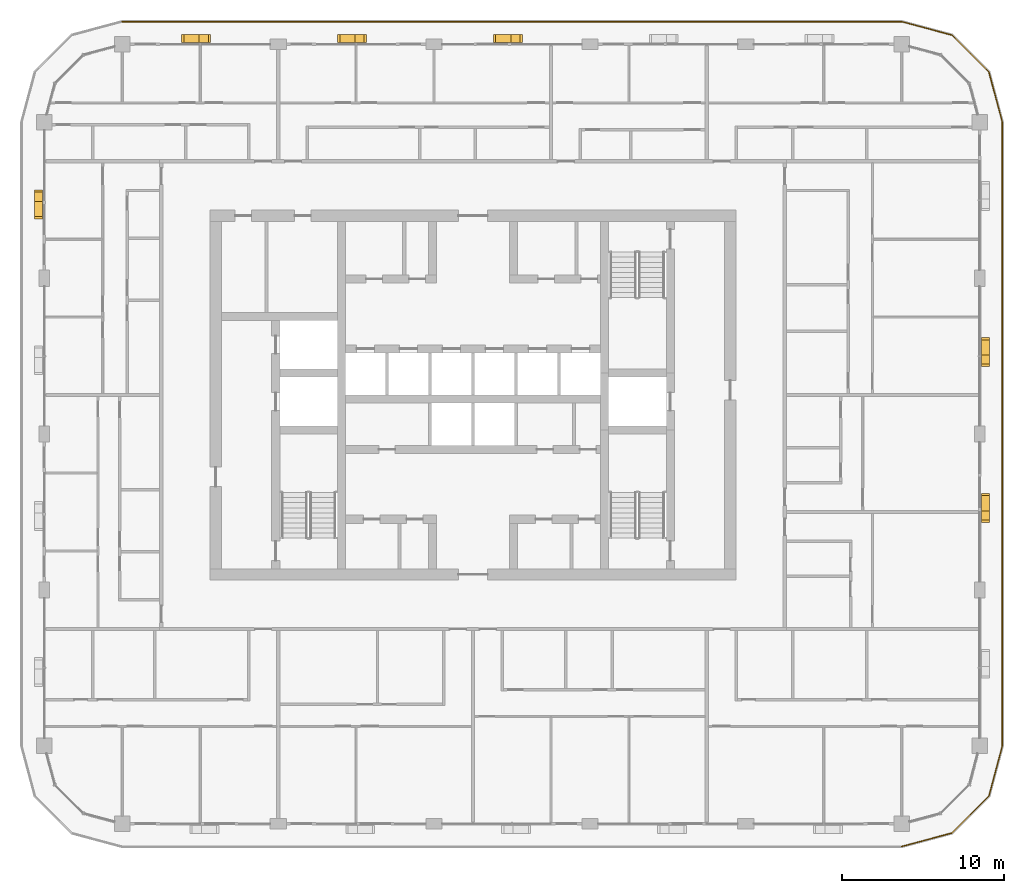
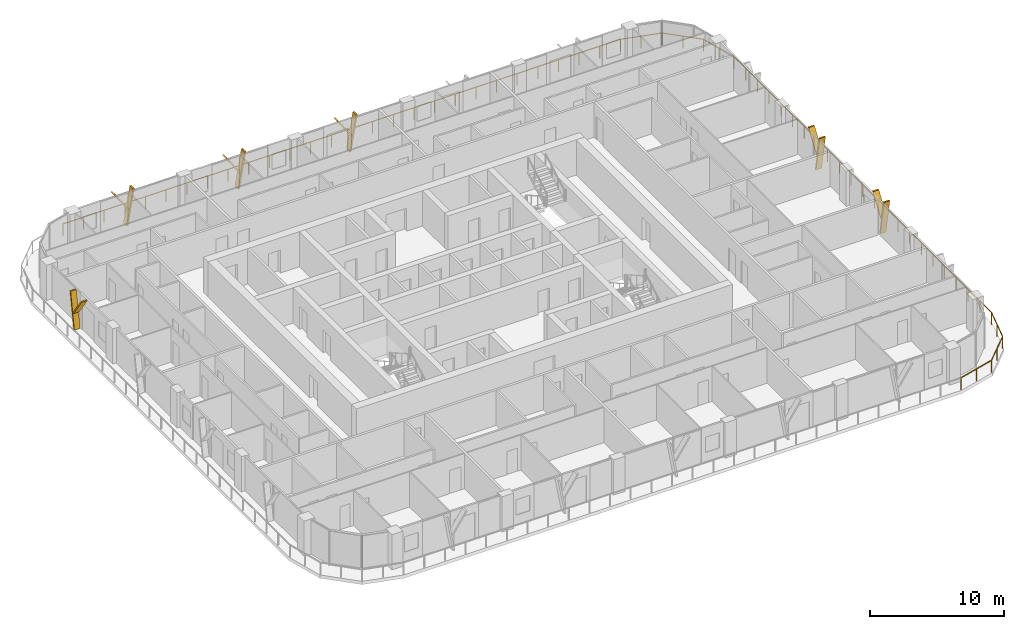
# One storey, part 21 of 22: 12 shading devices, 1 railing.
"""IFC4 building model written with IfcOpenShell, lengths in metres."""

from ifc_helpers import new_model, si_unit, direction, frame, origin, origin_2d, place, context, subcontext, project, spatial, polyline, circle, outline, extrude, material, type_object, element, save


model = new_model("IFC4")

# Units and contexts
model_context = context("Model", 3, precision=1e-05, world=origin(), true_north=direction((0.0, 1.0)))
body_context = subcontext(model_context, "Body", "Model", "MODEL_VIEW")
ifc_project = project(units=[si_unit("LENGTHUNIT", "METRE"), si_unit("AREAUNIT", "SQUARE_METRE"), si_unit("VOLUMEUNIT", "CUBIC_METRE"), si_unit("PLANEANGLEUNIT", "RADIAN"), si_unit("MASSUNIT", "GRAM", prefix="KILO")], contexts=[model_context])

# Site, building, storey
site_placement = place(None, origin())
site = spatial("IfcSite", under=ifc_project, at=site_placement, CompositionType="ELEMENT")
building_placement = place(site_placement, origin())
building = spatial("IfcBuilding", under=site, at=building_placement, Name="Madar Terraces", CompositionType="ELEMENT")
storey_placement = place(building_placement, frame((0.0, 0.0, 192.89990234375)))
storey = spatial("IfcBuildingStorey", under=building, at=storey_placement, Name="L50", CompositionType="ELEMENT", Elevation=192.89990234375)

# Railing
ifc_material_1 = material(Name="Glass, safety glazing, with stainless steel posts", Category="steel")
railing_type = type_object("IfcRailingType", Name="Balcony glass guard 1100", PredefinedType="GUARDRAIL", material=ifc_material_1)
railing_placement = place(storey_placement, frame((57.60009765625, -1.39990234375, 0.0)))
element("IfcRailing", 1, at=railing_placement, inside=storey, type_object=railing_type, Name="Balcony guard", PredefinedType="GUARDRAIL", context=body_context, shape_type="SweptSolid", body=[
    extrude(circle(Radius=0.02392578125, at=origin_2d()), frame((0.0, 0.0, 1.076171875), z_axis=(0.965928696102, 0.258808334578, 0.0), x_axis=(-0.258808334578, 0.965928696102, 0.0)), (0.0, 0.0, 1.0), 3.209228515625),
    extrude(circle(Radius=0.02392578125, at=origin_2d()), frame((3.099853515625, 0.83056640625, 1.076171875), z_axis=(0.707144815061, 0.707068745266, 0.0), x_axis=(-0.707068745266, 0.707144815061, 0.0)), (0.0, 0.0, 1.0), 3.20947265625),
    extrude(circle(Radius=0.02392578125, at=origin_2d()), frame((5.369384765625, 3.099853515625, 1.076171875), z_axis=(0.258789317819, 0.9659337912, 0.0), x_axis=(-0.9659337912, 0.258789317819, 0.0)), (0.0, 0.0, 1.0), 3.20947265625),
    extrude(circle(Radius=0.02392578125, at=origin_2d()), frame((6.199951171875, 6.199951171875, 1.076171875), z_axis=(0.0, 1.0, 0.0), x_axis=(-1.0, 0.0, 0.0)), (0.0, 0.0, 1.0), 38.39990234375),
    extrude(circle(Radius=0.02392578125, at=origin_2d()), frame((6.199951171875, 44.599853515625, 1.076171875), z_axis=(-0.258789317819, 0.9659337912, 0.0), x_axis=(-0.9659337912, -0.258789317819, 0.0)), (0.0, 0.0, 1.0), 3.20947265625),
    extrude(circle(Radius=0.02392578125, at=origin_2d()), frame((5.369384765625, 47.699951171875, 1.076171875), z_axis=(-0.707144815061, 0.707068745266, 0.0), x_axis=(-0.707068745266, -0.707144815061, 0.0)), (0.0, 0.0, 1.0), 3.20947265625),
    extrude(circle(Radius=0.02392578125, at=origin_2d()), frame((3.099853515625, 49.96923828125, 1.076171875), z_axis=(-0.965928696102, 0.258808334578, 0.0), x_axis=(-0.258808334578, -0.965928696102, 0.0)), (0.0, 0.0, 1.0), 3.209228515625),
    extrude(circle(Radius=0.02392578125, at=origin_2d()), frame((0.0, 50.7998046875, 1.076171875), z_axis=(-1.0, 0.0, 0.0), x_axis=(0.0, -1.0, 0.0)), (0.0, 0.0, 1.0), 48.0),
    extrude(circle(Radius=0.02099609375, at=origin_2d()), origin(), (0.0, 0.0, 1.0), 1.052001953125),
    extrude(circle(Radius=0.02099609375, at=origin_2d()), frame((1.5498046875, 0.415283203125, 0.0)), (0.0, 0.0, 1.0), 1.052001953125),
    extrude(circle(Radius=0.02099609375, at=origin_2d()), frame((3.099853515625, 0.83056640625, 0.0)), (0.0, 0.0, 1.0), 1.052001953125),
    extrude(circle(Radius=0.02099609375, at=origin_2d()), frame((4.234619140625, 1.96533203125, 0.0)), (0.0, 0.0, 1.0), 1.052001953125),
    extrude(circle(Radius=0.02099609375, at=origin_2d()), frame((5.369384765625, 3.099853515625, 0.0)), (0.0, 0.0, 1.0), 1.052001953125),
    extrude(circle(Radius=0.02099609375, at=origin_2d()), frame((5.78466796875, 4.64990234375, 0.0)), (0.0, 0.0, 1.0), 1.052001953125),
    extrude(circle(Radius=0.02099609375, at=origin_2d()), frame((6.199951171875, 6.199951171875, 0.0)), (0.0, 0.0, 1.0), 1.052001953125),
    extrude(circle(Radius=0.02099609375, at=origin_2d()), frame((6.199951171875, 7.9453125, 0.0)), (0.0, 0.0, 1.0), 1.052001953125),
    extrude(circle(Radius=0.02099609375, at=origin_2d()), frame((6.199951171875, 9.69091796875, 0.0)), (0.0, 0.0, 1.0), 1.052001953125),
    extrude(circle(Radius=0.02099609375, at=origin_2d()), frame((6.199951171875, 11.436279296875, 0.0)), (0.0, 0.0, 1.0), 1.052001953125),
    extrude(circle(Radius=0.02099609375, at=origin_2d()), frame((6.199951171875, 13.181640625, 0.0)), (0.0, 0.0, 1.0), 1.052001953125),
    extrude(circle(Radius=0.02099609375, at=origin_2d()), frame((6.199951171875, 14.92724609375, 0.0)), (0.0, 0.0, 1.0), 1.052001953125),
    extrude(circle(Radius=0.02099609375, at=origin_2d()), frame((6.199951171875, 16.672607421875, 0.0)), (0.0, 0.0, 1.0), 1.052001953125),
    extrude(circle(Radius=0.02099609375, at=origin_2d()), frame((6.199951171875, 18.418212890625, 0.0)), (0.0, 0.0, 1.0), 1.052001953125),
    extrude(circle(Radius=0.02099609375, at=origin_2d()), frame((6.199951171875, 20.16357421875, 0.0)), (0.0, 0.0, 1.0), 1.052001953125),
    extrude(circle(Radius=0.02099609375, at=origin_2d()), frame((6.199951171875, 21.908935546875, 0.0)), (0.0, 0.0, 1.0), 1.052001953125),
    extrude(circle(Radius=0.02099609375, at=origin_2d()), frame((6.199951171875, 23.654541015625, 0.0)), (0.0, 0.0, 1.0), 1.052001953125),
    extrude(circle(Radius=0.02099609375, at=origin_2d()), frame((6.199951171875, 25.39990234375, 0.0)), (0.0, 0.0, 1.0), 1.052001953125),
    extrude(circle(Radius=0.02099609375, at=origin_2d()), frame((6.199951171875, 27.145263671875, 0.0)), (0.0, 0.0, 1.0), 1.052001953125),
    extrude(circle(Radius=0.02099609375, at=origin_2d()), frame((6.199951171875, 28.890869140625, 0.0)), (0.0, 0.0, 1.0), 1.052001953125),
    extrude(circle(Radius=0.02099609375, at=origin_2d()), frame((6.199951171875, 30.63623046875, 0.0)), (0.0, 0.0, 1.0), 1.052001953125),
    extrude(circle(Radius=0.02099609375, at=origin_2d()), frame((6.199951171875, 32.381591796875, 0.0)), (0.0, 0.0, 1.0), 1.052001953125),
    extrude(circle(Radius=0.02099609375, at=origin_2d()), frame((6.199951171875, 34.127197265625, 0.0)), (0.0, 0.0, 1.0), 1.052001953125),
    extrude(circle(Radius=0.02099609375, at=origin_2d()), frame((6.199951171875, 35.87255859375, 0.0)), (0.0, 0.0, 1.0), 1.052001953125),
    extrude(circle(Radius=0.02099609375, at=origin_2d()), frame((6.199951171875, 37.6181640625, 0.0)), (0.0, 0.0, 1.0), 1.052001953125),
    extrude(circle(Radius=0.02099609375, at=origin_2d()), frame((6.199951171875, 39.363525390625, 0.0)), (0.0, 0.0, 1.0), 1.052001953125),
    extrude(circle(Radius=0.02099609375, at=origin_2d()), frame((6.199951171875, 41.10888671875, 0.0)), (0.0, 0.0, 1.0), 1.052001953125),
    extrude(circle(Radius=0.02099609375, at=origin_2d()), frame((6.199951171875, 42.8544921875, 0.0)), (0.0, 0.0, 1.0), 1.052001953125),
    extrude(circle(Radius=0.02099609375, at=origin_2d()), frame((6.199951171875, 44.599853515625, 0.0)), (0.0, 0.0, 1.0), 1.052001953125),
    extrude(circle(Radius=0.02099609375, at=origin_2d()), frame((5.78466796875, 46.14990234375, 0.0)), (0.0, 0.0, 1.0), 1.052001953125),
    extrude(circle(Radius=0.02099609375, at=origin_2d()), frame((5.369384765625, 47.699951171875, 0.0)), (0.0, 0.0, 1.0), 1.052001953125),
    extrude(circle(Radius=0.02099609375, at=origin_2d()), frame((4.234619140625, 48.83447265625, 0.0)), (0.0, 0.0, 1.0), 1.052001953125),
    extrude(circle(Radius=0.02099609375, at=origin_2d()), frame((3.099853515625, 49.96923828125, 0.0)), (0.0, 0.0, 1.0), 1.052001953125),
    extrude(circle(Radius=0.02099609375, at=origin_2d()), frame((1.5498046875, 50.384521484375, 0.0)), (0.0, 0.0, 1.0), 1.052001953125),
    extrude(circle(Radius=0.02099609375, at=origin_2d()), frame((0.0, 50.7998046875, 0.0)), (0.0, 0.0, 1.0), 1.052001953125),
    extrude(circle(Radius=0.02099609375, at=origin_2d()), frame((-1.77783203125, 50.7998046875, 0.0)), (0.0, 0.0, 1.0), 1.052001953125),
    extrude(circle(Radius=0.02099609375, at=origin_2d()), frame((-3.5556640625, 50.7998046875, 0.0)), (0.0, 0.0, 1.0), 1.052001953125),
    extrude(circle(Radius=0.02099609375, at=origin_2d()), frame((-5.333251953125, 50.7998046875, 0.0)), (0.0, 0.0, 1.0), 1.052001953125),
    extrude(circle(Radius=0.02099609375, at=origin_2d()), frame((-7.111083984375, 50.7998046875, 0.0)), (0.0, 0.0, 1.0), 1.052001953125),
    extrude(circle(Radius=0.02099609375, at=origin_2d()), frame((-8.888916015625, 50.7998046875, 0.0)), (0.0, 0.0, 1.0), 1.052001953125),
    extrude(circle(Radius=0.02099609375, at=origin_2d()), frame((-10.666748046875, 50.7998046875, 0.0)), (0.0, 0.0, 1.0), 1.052001953125),
    extrude(circle(Radius=0.02099609375, at=origin_2d()), frame((-12.4443359375, 50.7998046875, 0.0)), (0.0, 0.0, 1.0), 1.052001953125),
    extrude(circle(Radius=0.02099609375, at=origin_2d()), frame((-14.22216796875, 50.7998046875, 0.0)), (0.0, 0.0, 1.0), 1.052001953125),
    extrude(circle(Radius=0.02099609375, at=origin_2d()), frame((-16.0, 50.7998046875, 0.0)), (0.0, 0.0, 1.0), 1.052001953125),
    extrude(circle(Radius=0.02099609375, at=origin_2d()), frame((-17.77783203125, 50.7998046875, 0.0)), (0.0, 0.0, 1.0), 1.052001953125),
    extrude(circle(Radius=0.02099609375, at=origin_2d()), frame((-19.5556640625, 50.7998046875, 0.0)), (0.0, 0.0, 1.0), 1.052001953125),
    extrude(circle(Radius=0.02099609375, at=origin_2d()), frame((-21.333251953125, 50.7998046875, 0.0)), (0.0, 0.0, 1.0), 1.052001953125),
    extrude(circle(Radius=0.02099609375, at=origin_2d()), frame((-23.111083984375, 50.7998046875, 0.0)), (0.0, 0.0, 1.0), 1.052001953125),
    extrude(circle(Radius=0.02099609375, at=origin_2d()), frame((-24.888916015625, 50.7998046875, 0.0)), (0.0, 0.0, 1.0), 1.052001953125),
    extrude(circle(Radius=0.02099609375, at=origin_2d()), frame((-26.666748046875, 50.7998046875, 0.0)), (0.0, 0.0, 1.0), 1.052001953125),
    extrude(circle(Radius=0.02099609375, at=origin_2d()), frame((-28.4443359375, 50.7998046875, 0.0)), (0.0, 0.0, 1.0), 1.052001953125),
    extrude(circle(Radius=0.02099609375, at=origin_2d()), frame((-30.22216796875, 50.7998046875, 0.0)), (0.0, 0.0, 1.0), 1.052001953125),
    extrude(circle(Radius=0.02099609375, at=origin_2d()), frame((-32.0, 50.7998046875, 0.0)), (0.0, 0.0, 1.0), 1.052001953125),
    extrude(circle(Radius=0.02099609375, at=origin_2d()), frame((-33.77783203125, 50.7998046875, 0.0)), (0.0, 0.0, 1.0), 1.052001953125),
    extrude(circle(Radius=0.02099609375, at=origin_2d()), frame((-35.5556640625, 50.7998046875, 0.0)), (0.0, 0.0, 1.0), 1.052001953125),
    extrude(circle(Radius=0.02099609375, at=origin_2d()), frame((-37.333251953125, 50.7998046875, 0.0)), (0.0, 0.0, 1.0), 1.052001953125),
    extrude(circle(Radius=0.02099609375, at=origin_2d()), frame((-39.111083984375, 50.7998046875, 0.0)), (0.0, 0.0, 1.0), 1.052001953125),
    extrude(circle(Radius=0.02099609375, at=origin_2d()), frame((-40.888916015625, 50.7998046875, 0.0)), (0.0, 0.0, 1.0), 1.052001953125),
    extrude(circle(Radius=0.02099609375, at=origin_2d()), frame((-42.666748046875, 50.7998046875, 0.0)), (0.0, 0.0, 1.0), 1.052001953125),
    extrude(circle(Radius=0.02099609375, at=origin_2d()), frame((-44.4443359375, 50.7998046875, 0.0)), (0.0, 0.0, 1.0), 1.052001953125),
    extrude(circle(Radius=0.02099609375, at=origin_2d()), frame((-46.22216796875, 50.7998046875, 0.0)), (0.0, 0.0, 1.0), 1.052001953125),
    extrude(circle(Radius=0.02099609375, at=origin_2d()), frame((-48.0, 50.7998046875, 0.0)), (0.0, 0.0, 1.0), 1.052001953125),
])

# Shading devices
ifc_material_2 = material(Name="Aluminium, black anodised", Category="aluminium")
shading_device_type = type_object("IfcShadingDeviceType", Name="Facade fin blade 140 x 500", PredefinedType="USERDEFINED", material=ifc_material_2)
shading_device_1_placement = place(storey_placement, frame((62.75, 19.1298828125, 0.0), z_axis=(0.0, 0.0, 1.0), x_axis=(0.0, 1.0, 0.0)))
element("IfcShadingDevice", 2, at=shading_device_1_placement, inside=storey, type_object=shading_device_type, Name="FIN L50 E2", ObjectType="FIN", PredefinedType="USERDEFINED", context=body_context, shape_type="SweptSolid", body=[
    extrude(outline(polyline([(0.0, 0.0), (0.14013671875, 0.0), (-0.42431640625, 3.2001953125), (-0.564208984375, 3.2001953125), (0.0, 0.0)])), frame((0.0, 0.25, 0.0), z_axis=(0.0, -1.0, 0.0), x_axis=(1.0, 0.0, 0.0)), (0.0, 0.0, 1.0), 0.5),
])
shading_device_2_placement = place(storey_placement, frame((62.75, 19.01611328125, 1.440185546875), z_axis=(0.0, 0.0, 1.0), x_axis=(0.0, 1.0, 0.0)))
element("IfcShadingDevice", 3, at=shading_device_2_placement, inside=storey, type_object=shading_device_type, Name="FIN L50 E2 branch", ObjectType="FIN", PredefinedType="USERDEFINED", context=body_context, shape_type="SweptSolid", body=[
    extrude(outline(polyline([(0.0, 0.0), (0.139892578125, 0.0), (1.32958984375, 1.760009765625), (1.189697265625, 1.760009765625), (0.0, 0.0)])), frame((0.0, 0.25, 0.0), z_axis=(0.0, -1.0, 0.0), x_axis=(1.0, 0.0, 0.0)), (0.0, 0.0, 1.0), 0.5),
])
shading_device_3_placement = place(storey_placement, frame((62.75, 28.72998046875, 0.0), z_axis=(0.0, 0.0, 1.0), x_axis=(0.0, 1.0, 0.0)))
element("IfcShadingDevice", 4, at=shading_device_3_placement, inside=storey, type_object=shading_device_type, Name="FIN L50 E3", ObjectType="FIN", PredefinedType="USERDEFINED", context=body_context, shape_type="SweptSolid", body=[
    extrude(outline(polyline([(0.0, 0.0), (0.14013671875, 0.0), (-0.42431640625, 3.2001953125), (-0.564208984375, 3.2001953125), (0.0, 0.0)])), frame((0.0, 0.25, 0.0), z_axis=(0.0, -1.0, 0.0), x_axis=(1.0, 0.0, 0.0)), (0.0, 0.0, 1.0), 0.5),
])
shading_device_4_placement = place(storey_placement, frame((62.75, 28.6162109375, 1.440185546875), z_axis=(0.0, 0.0, 1.0), x_axis=(0.0, 1.0, 0.0)))
element("IfcShadingDevice", 5, at=shading_device_4_placement, inside=storey, type_object=shading_device_type, Name="FIN L50 E3 branch", ObjectType="FIN", PredefinedType="USERDEFINED", context=body_context, shape_type="SweptSolid", body=[
    extrude(outline(polyline([(0.0, 0.0), (0.139892578125, 0.0), (1.32958984375, 1.760009765625), (1.189697265625, 1.760009765625), (0.0, 0.0)])), frame((0.0, 0.25, 0.0), z_axis=(0.0, -1.0, 0.0), x_axis=(1.0, 0.0, 0.0)), (0.0, 0.0, 1.0), 0.5),
])
shading_device_5_placement = place(storey_placement, frame((33.669921875, 48.35009765625, 0.0), z_axis=(0.0, 0.0, 1.0), x_axis=(-1.0, 0.0, 0.0)))
element("IfcShadingDevice", 6, at=shading_device_5_placement, inside=storey, type_object=shading_device_type, Name="FIN L50 N3", ObjectType="FIN", PredefinedType="USERDEFINED", context=body_context, shape_type="SweptSolid", body=[
    extrude(outline(polyline([(0.0, 0.0), (0.139892578125, 0.0), (-0.42431640625, 3.2001953125), (-0.564208984375, 3.2001953125), (0.0, 0.0)])), frame((0.0, 0.25, 0.0), z_axis=(0.0, -1.0, 0.0), x_axis=(1.0, 0.0, 0.0)), (0.0, 0.0, 1.0), 0.5),
])
shading_device_6_placement = place(storey_placement, frame((33.783935546875, 48.35009765625, 1.440185546875), z_axis=(0.0, 0.0, 1.0), x_axis=(-1.0, 0.0, 0.0)))
element("IfcShadingDevice", 7, at=shading_device_6_placement, inside=storey, type_object=shading_device_type, Name="FIN L50 N3 branch", ObjectType="FIN", PredefinedType="USERDEFINED", context=body_context, shape_type="SweptSolid", body=[
    extrude(outline(polyline([(0.0, 0.0), (0.14013671875, 0.0), (1.32958984375, 1.760009765625), (1.189697265625, 1.760009765625), (0.0, 0.0)])), frame((0.0, 0.25, 0.0), z_axis=(0.0, -1.0, 0.0), x_axis=(1.0, 0.0, 0.0)), (0.0, 0.0, 1.0), 0.5),
])
shading_device_7_placement = place(storey_placement, frame((24.070068359375, 48.35009765625, 0.0), z_axis=(0.0, 0.0, 1.0), x_axis=(-1.0, 0.0, 0.0)))
element("IfcShadingDevice", 8, at=shading_device_7_placement, inside=storey, type_object=shading_device_type, Name="FIN L50 N4", ObjectType="FIN", PredefinedType="USERDEFINED", context=body_context, shape_type="SweptSolid", body=[
    extrude(outline(polyline([(0.0, 0.0), (0.14013671875, 0.0), (-0.42431640625, 3.2001953125), (-0.564208984375, 3.2001953125), (0.0, 0.0)])), frame((0.0, 0.25, 0.0), z_axis=(0.0, -1.0, 0.0), x_axis=(1.0, 0.0, 0.0)), (0.0, 0.0, 1.0), 0.5),
])
shading_device_8_placement = place(storey_placement, frame((24.183837890625, 48.35009765625, 1.440185546875), z_axis=(0.0, 0.0, 1.0), x_axis=(-1.0, 0.0, 0.0)))
element("IfcShadingDevice", 9, at=shading_device_8_placement, inside=storey, type_object=shading_device_type, Name="FIN L50 N4 branch", ObjectType="FIN", PredefinedType="USERDEFINED", context=body_context, shape_type="SweptSolid", body=[
    extrude(outline(polyline([(0.0, 0.0), (0.139892578125, 0.0), (1.32958984375, 1.760009765625), (1.189697265625, 1.760009765625), (0.0, 0.0)])), frame((0.0, 0.25, 0.0), z_axis=(0.0, -1.0, 0.0), x_axis=(1.0, 0.0, 0.0)), (0.0, 0.0, 1.0), 0.5),
])
shading_device_9_placement = place(storey_placement, frame((14.469970703125, 48.35009765625, 0.0), z_axis=(0.0, 0.0, 1.0), x_axis=(-1.0, 0.0, 0.0)))
element("IfcShadingDevice", 10, at=shading_device_9_placement, inside=storey, type_object=shading_device_type, Name="FIN L50 N5", ObjectType="FIN", PredefinedType="USERDEFINED", context=body_context, shape_type="SweptSolid", body=[
    extrude(outline(polyline([(0.0, 0.0), (0.139892578125, 0.0), (-0.42431640625, 3.2001953125), (-0.564208984375, 3.2001953125), (0.0, 0.0)])), frame((0.0, 0.25, 0.0), z_axis=(0.0, -1.0, 0.0), x_axis=(1.0, 0.0, 0.0)), (0.0, 0.0, 1.0), 0.5),
])
shading_device_10_placement = place(storey_placement, frame((14.583984375, 48.35009765625, 1.440185546875), z_axis=(0.0, 0.0, 1.0), x_axis=(-1.0, 0.0, 0.0)))
element("IfcShadingDevice", 11, at=shading_device_10_placement, inside=storey, type_object=shading_device_type, Name="FIN L50 N5 branch", ObjectType="FIN", PredefinedType="USERDEFINED", context=body_context, shape_type="SweptSolid", body=[
    extrude(outline(polyline([(0.0, 0.0), (0.14013671875, 0.0), (1.32958984375, 1.760009765625), (1.189697265625, 1.760009765625), (0.0, 0.0)])), frame((0.0, 0.25, 0.0), z_axis=(0.0, -1.0, 0.0), x_axis=(1.0, 0.0, 0.0)), (0.0, 0.0, 1.0), 0.5),
])
shading_device_11_placement = place(storey_placement, frame((4.449951171875, 38.469970703125, 0.0), z_axis=(0.0, 0.0, 1.0), x_axis=(0.0, -1.0, 0.0)))
element("IfcShadingDevice", 12, at=shading_device_11_placement, inside=storey, type_object=shading_device_type, Name="FIN L50 W1", ObjectType="FIN", PredefinedType="USERDEFINED", context=body_context, shape_type="SweptSolid", body=[
    extrude(outline(polyline([(0.0, 0.0), (0.139892578125, 0.0), (-0.42431640625, 3.2001953125), (-0.564208984375, 3.2001953125), (0.0, 0.0)])), frame((0.0, 0.25, 0.0), z_axis=(0.0, -1.0, 0.0), x_axis=(1.0, 0.0, 0.0)), (0.0, 0.0, 1.0), 0.5),
])
shading_device_12_placement = place(storey_placement, frame((4.449951171875, 38.583984375, 1.440185546875), z_axis=(0.0, 0.0, 1.0), x_axis=(0.0, -1.0, 0.0)))
element("IfcShadingDevice", 13, at=shading_device_12_placement, inside=storey, type_object=shading_device_type, Name="FIN L50 W1 branch", ObjectType="FIN", PredefinedType="USERDEFINED", context=body_context, shape_type="SweptSolid", body=[
    extrude(outline(polyline([(0.0, 0.0), (0.14013671875, 0.0), (1.32958984375, 1.760009765625), (1.189697265625, 1.760009765625), (0.0, 0.0)])), frame((0.0, 0.25, 0.0), z_axis=(0.0, -1.0, 0.0), x_axis=(1.0, 0.0, 0.0)), (0.0, 0.0, 1.0), 0.5),
])

save(model, "model.ifc")
